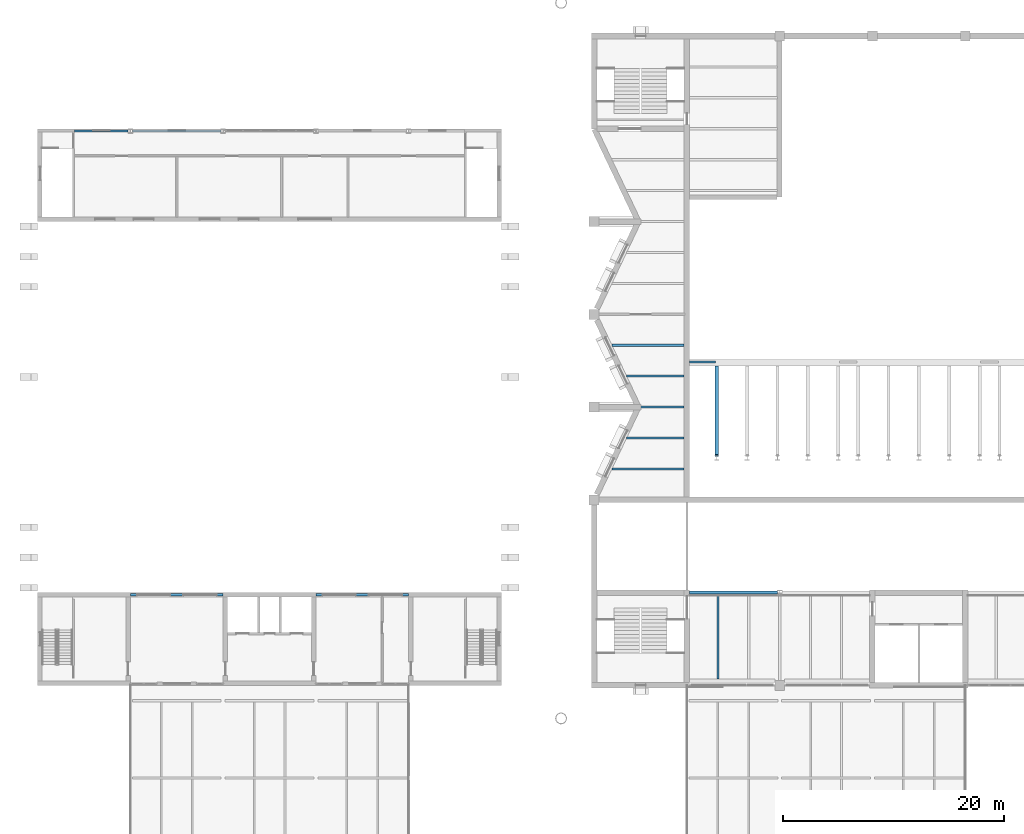
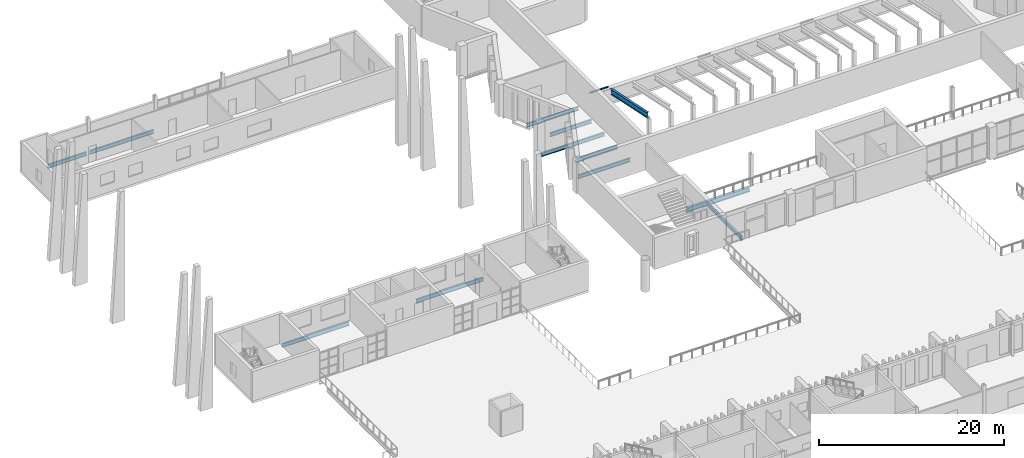
# One storey, part 33 of 96: 13 beams.
"""IFC4 building model written with IfcOpenShell, lengths in metres."""

from ifc_helpers import new_model, si_unit, direction, frame, origin, origin_2d, place, context, subcontext, project, spatial, i_section, extrude, material, material_profile, profile_set, type_object, element, save


model = new_model("IFC4")

# Units and contexts
model_context = context("Model", 3, precision=1e-05, world=origin(), true_north=direction((0.0, 1.0)))
body_context = subcontext(model_context, "Body", "Model", "MODEL_VIEW")
ifc_project = project(units=[si_unit("LENGTHUNIT", "METRE"), si_unit("AREAUNIT", "SQUARE_METRE"), si_unit("VOLUMEUNIT", "CUBIC_METRE"), si_unit("PLANEANGLEUNIT", "RADIAN"), si_unit("MASSUNIT", "GRAM", prefix="KILO")], contexts=[model_context])

# Site, building, storey
site_placement = place(None, origin())
site = spatial("IfcSite", under=ifc_project, at=site_placement, CompositionType="ELEMENT")
building_placement = place(site_placement, origin())
building = spatial("IfcBuilding", under=site, at=building_placement, Name="Cresset Court Congress Hotel", CompositionType="ELEMENT")
storey_placement = place(building_placement, frame((0.0, 0.0, 6.0)))
storey = spatial("IfcBuildingStorey", under=building, at=storey_placement, Name="L01", CompositionType="ELEMENT", Elevation=6.0)

# Beams
ifc_material_1 = material(Name="Structural steel Q355B", Category="steel")
ifc_material_profile_1 = material_profile(ifc_material_1, i_section(OverallWidth=0.300048828125, OverallDepth=0.587890625, WebThickness=0.011962890625, FlangeThickness=0.02001953125, FilletRadius=0.028076171875, at=origin_2d()), Name="HM588x300x12x20")
ifc_profile_set_1 = profile_set([ifc_material_profile_1], Name="Structural steel Q355B")
beam_type_1 = type_object("IfcBeamType", Name="Steel HM588x300x12x20 girder", PredefinedType="BEAM", material=ifc_profile_set_1)
beam_1_placement = place(storey_placement, frame((67.449951171875, 67.199951171875, -0.444091796875), z_axis=(1.0, 0.0, 0.0), x_axis=(0.0, 1.0, 0.0)))
element("IfcBeam", 1, at=beam_1_placement, inside=storey, type_object=beam_type_1, Name="Girder CG-F011", PredefinedType="BEAM", context=body_context, shape_type="SweptSolid", body=[
    extrude(i_section(OverallWidth=0.300048828125, OverallDepth=0.587890625, WebThickness=0.011962890625, FlangeThickness=0.02001953125, FilletRadius=0.028076171875, at=origin_2d()), origin(), (0.0, 0.0, 1.0), 7.949951171875),
])
ifc_material_2 = material(Name="Structural steel Q355B", Category="steel")
ifc_material_profile_2 = material_profile(ifc_material_2, i_section(OverallWidth=0.199951171875, OverallDepth=0.5, WebThickness=0.010009765625, FlangeThickness=0.01611328125, FilletRadius=0.012939453125, at=origin_2d()), Name="HN500x200x10x16")
ifc_profile_set_2 = profile_set([ifc_material_profile_2], Name="Structural steel Q355B")
beam_type_2 = type_object("IfcBeamType", Name="Steel HN500x200x10x16 beam", PredefinedType="BEAM", material=ifc_profile_set_2)
beam_2_placement = place(storey_placement, frame((70.0, 59.35009765625, -0.39990234375), z_axis=(0.0, 1.0, 0.0), x_axis=(-1.0, 0.0, 0.0)))
element("IfcBeam", 2, at=beam_2_placement, inside=storey, type_object=beam_type_2, Name="Beam CB-F011", PredefinedType="BEAM", context=body_context, shape_type="SweptSolid", body=[
    extrude(i_section(OverallWidth=0.199951171875, OverallDepth=0.5, WebThickness=0.010009765625, FlangeThickness=0.01611328125, FilletRadius=0.012939453125, at=origin_2d()), origin(), (0.0, 0.0, 1.0), 7.699951171875),
])
beam_3_placement = place(storey_placement, frame((60.41015625, 78.39990234375, -0.39990234375), z_axis=(1.0, 0.0, 0.0), x_axis=(0.0, 1.0, 0.0)))
element("IfcBeam", 3, at=beam_3_placement, inside=storey, type_object=beam_type_2, Name="Beam CB-G11", PredefinedType="BEAM", context=body_context, shape_type="SweptSolid", body=[
    extrude(i_section(OverallWidth=0.199951171875, OverallDepth=0.5, WebThickness=0.010009765625, FlangeThickness=0.01611328125, FilletRadius=0.012939453125, at=origin_2d()), origin(), (0.0, 0.0, 1.0), 6.539794921875),
])
beam_4_placement = place(storey_placement, frame((61.74365234375, 81.199951171875, -0.39990234375), z_axis=(1.0, 0.0, 0.0), x_axis=(0.0, 1.0, 0.0)))
element("IfcBeam", 4, at=beam_4_placement, inside=storey, type_object=beam_type_2, Name="Beam CB-G12", PredefinedType="BEAM", context=body_context, shape_type="SweptSolid", body=[
    extrude(i_section(OverallWidth=0.199951171875, OverallDepth=0.5, WebThickness=0.010009765625, FlangeThickness=0.01611328125, FilletRadius=0.012939453125, at=origin_2d()), origin(), (0.0, 0.0, 1.0), 5.206298828125),
])
beam_5_placement = place(storey_placement, frame((59.050048828125, 84.0, -0.39990234375), z_axis=(1.0, 0.0, 0.0), x_axis=(0.0, 1.0, 0.0)))
element("IfcBeam", 5, at=beam_5_placement, inside=storey, type_object=beam_type_2, Name="Beam CB-G13", PredefinedType="BEAM", context=body_context, shape_type="SweptSolid", body=[
    extrude(i_section(OverallWidth=0.199951171875, OverallDepth=0.5, WebThickness=0.010009765625, FlangeThickness=0.01611328125, FilletRadius=0.012939453125, at=origin_2d()), origin(), (0.0, 0.0, 1.0), 7.89990234375),
])
beam_6_placement = place(storey_placement, frame((61.74365234375, 86.800048828125, -0.39990234375), z_axis=(1.0, 0.0, 0.0), x_axis=(0.0, 1.0, 0.0)))
element("IfcBeam", 6, at=beam_6_placement, inside=storey, type_object=beam_type_2, Name="Beam CB-G14", PredefinedType="BEAM", context=body_context, shape_type="SweptSolid", body=[
    extrude(i_section(OverallWidth=0.199951171875, OverallDepth=0.5, WebThickness=0.010009765625, FlangeThickness=0.01611328125, FilletRadius=0.012939453125, at=origin_2d()), origin(), (0.0, 0.0, 1.0), 5.206298828125),
])
beam_7_placement = place(storey_placement, frame((60.41015625, 89.60009765625, -0.39990234375), z_axis=(1.0, 0.0, 0.0), x_axis=(0.0, 1.0, 0.0)))
element("IfcBeam", 7, at=beam_7_placement, inside=storey, type_object=beam_type_2, Name="Beam CB-G15", PredefinedType="BEAM", context=body_context, shape_type="SweptSolid", body=[
    extrude(i_section(OverallWidth=0.199951171875, OverallDepth=0.5, WebThickness=0.010009765625, FlangeThickness=0.01611328125, FilletRadius=0.012939453125, at=origin_2d()), origin(), (0.0, 0.0, 1.0), 6.539794921875),
])
ifc_material_3 = material(Name="Structural steel Q355B", Category="steel")
ifc_material_profile_3 = material_profile(ifc_material_3, i_section(OverallWidth=0.300048828125, OverallDepth=0.69189453125, WebThickness=0.012939453125, FlangeThickness=0.02001953125, FilletRadius=0.01806640625, at=origin_2d()), Name="HN692x300x13x20")
ifc_profile_set_3 = profile_set([ifc_material_profile_3], Name="Structural steel Q355B")
beam_type_3 = type_object("IfcBeamType", Name="Steel HN692x300x13x20 front raker beam", PredefinedType="BEAM", material=ifc_profile_set_3)
beam_8_placement = place(storey_placement, frame((69.89990234375, 79.609375, 3.69140625), z_axis=(0.0, 0.978978932116, -0.203961394563), x_axis=(-1.0, 0.0, 0.0)))
element("IfcBeam", 8, at=beam_8_placement, inside=storey, type_object=beam_type_3, Name="Raker beam CK-1b", PredefinedType="BEAM", context=body_context, shape_type="SweptSolid", body=[
    extrude(i_section(OverallWidth=0.300048828125, OverallDepth=0.69189453125, WebThickness=0.012939453125, FlangeThickness=0.02001953125, FilletRadius=0.01806640625, at=origin_2d()), origin(), (0.0, 0.0, 1.0), 8.192138671875),
])
ifc_material_4 = material(Name="Structural steel Q355B", Category="steel")
ifc_material_profile_4 = material_profile(ifc_material_4, i_section(OverallWidth=0.14990234375, OverallDepth=0.14990234375, WebThickness=0.007080078125, FlangeThickness=0.010009765625, FilletRadius=0.008056640625, at=origin_2d()), Name="HW150x150x7x10")
ifc_profile_set_4 = profile_set([ifc_material_profile_4], Name="Structural steel Q355B")
beam_type_4 = type_object("IfcBeamType", Name="Steel HW150x150x7x10 stair bearer", PredefinedType="BEAM", material=ifc_profile_set_4)
beam_9_placement = place(storey_placement, frame((67.449951171875, 88.074951171875, 2.371826171875), z_axis=(1.0, 0.0, 0.0), x_axis=(0.0, 1.0, 0.0)))
element("IfcBeam", 9, at=beam_9_placement, inside=storey, type_object=beam_type_4, Name="Stair bearer CB-1F", PredefinedType="BEAM", context=body_context, shape_type="SweptSolid", body=[
    extrude(i_section(OverallWidth=0.14990234375, OverallDepth=0.14990234375, WebThickness=0.007080078125, FlangeThickness=0.010009765625, FilletRadius=0.008056640625, at=origin_2d()), origin(), (0.0, 0.0, 1.0), 2.35009765625),
])
ifc_material_5 = material(Name="Structural steel Q355B", Category="steel")
ifc_material_profile_5 = material_profile(ifc_material_5, i_section(OverallWidth=0.199951171875, OverallDepth=0.5, WebThickness=0.010009765625, FlangeThickness=0.01611328125, FilletRadius=0.012939453125, at=origin_2d()), Name="HN500x200x10x16")
ifc_profile_set_5 = profile_set([ifc_material_profile_5], Name="Structural steel Q355B")
beam_type_5 = type_object("IfcBeamType", Name="Steel edge beam HN500x200x10x16", PredefinedType="BEAM", material=ifc_profile_set_5)
for number, where, z_axis, x_axis, name in (
    (10, (16.800048828125, 67.0, -0.530029296875), (1.0, 0.0, 0.0), (0.0, 1.0, 0.0), "Foyer edge beam WN"),
    (11, (33.60009765625, 67.0, -0.530029296875), (1.0, 0.0, 0.0), (0.0, 1.0, 0.0), "Foyer edge beam EN"),
):
    element("IfcBeam", number, at=place(storey_placement, frame(where, z_axis=z_axis, x_axis=x_axis)), inside=storey, type_object=beam_type_5, Name=name, PredefinedType="BEAM", context=body_context, shape_type="SweptSolid", body=[
        extrude(i_section(OverallWidth=0.199951171875, OverallDepth=0.5, WebThickness=0.010009765625, FlangeThickness=0.01611328125, FilletRadius=0.012939453125, at=origin_2d()), origin(), (0.0, 0.0, 1.0), 8.39990234375),
    ])
ifc_material_6 = material(Name="Structural steel Q355B", Category="steel")
ifc_material_profile_6 = material_profile(ifc_material_6, i_section(OverallWidth=0.199951171875, OverallDepth=0.5, WebThickness=0.010009765625, FlangeThickness=0.01611328125, FilletRadius=0.012939453125, at=origin_2d()), Name="HN500x200x10x16")
ifc_profile_set_6 = profile_set([ifc_material_profile_6], Name="Structural steel Q355B")
beam_type_6 = type_object("IfcBeamType", Name="Steel edge beam HN500x200x10x16 external", PredefinedType="BEAM", material=ifc_profile_set_6)
beam_10_placement = place(storey_placement, frame((11.75, 109.0, -0.530029296875), z_axis=(1.0, 0.0, 0.0), x_axis=(0.0, 1.0, 0.0)))
element("IfcBeam", 12, at=beam_10_placement, inside=storey, type_object=beam_type_6, Name="North edge beam L00 1", PredefinedType="BEAM", context=body_context, shape_type="SweptSolid", body=[
    extrude(i_section(OverallWidth=0.199951171875, OverallDepth=0.5, WebThickness=0.010009765625, FlangeThickness=0.01611328125, FilletRadius=0.012939453125, at=origin_2d()), origin(), (0.0, 0.0, 1.0), 4.85009765625),
])
beam_11_placement = place(storey_placement, frame((17.0, 109.0, -0.530029296875), z_axis=(1.0, 0.0, 0.0), x_axis=(0.0, 1.0, 0.0)))
element("IfcBeam", 13, at=beam_11_placement, inside=storey, type_object=beam_type_6, Name="North edge beam L00 2", PredefinedType="BEAM", context=body_context, shape_type="SweptSolid", body=[
    extrude(i_section(OverallWidth=0.199951171875, OverallDepth=0.5, WebThickness=0.010009765625, FlangeThickness=0.01611328125, FilletRadius=0.012939453125, at=origin_2d()), origin(), (0.0, 0.0, 1.0), 8.0),
])

save(model, "model.ifc")
